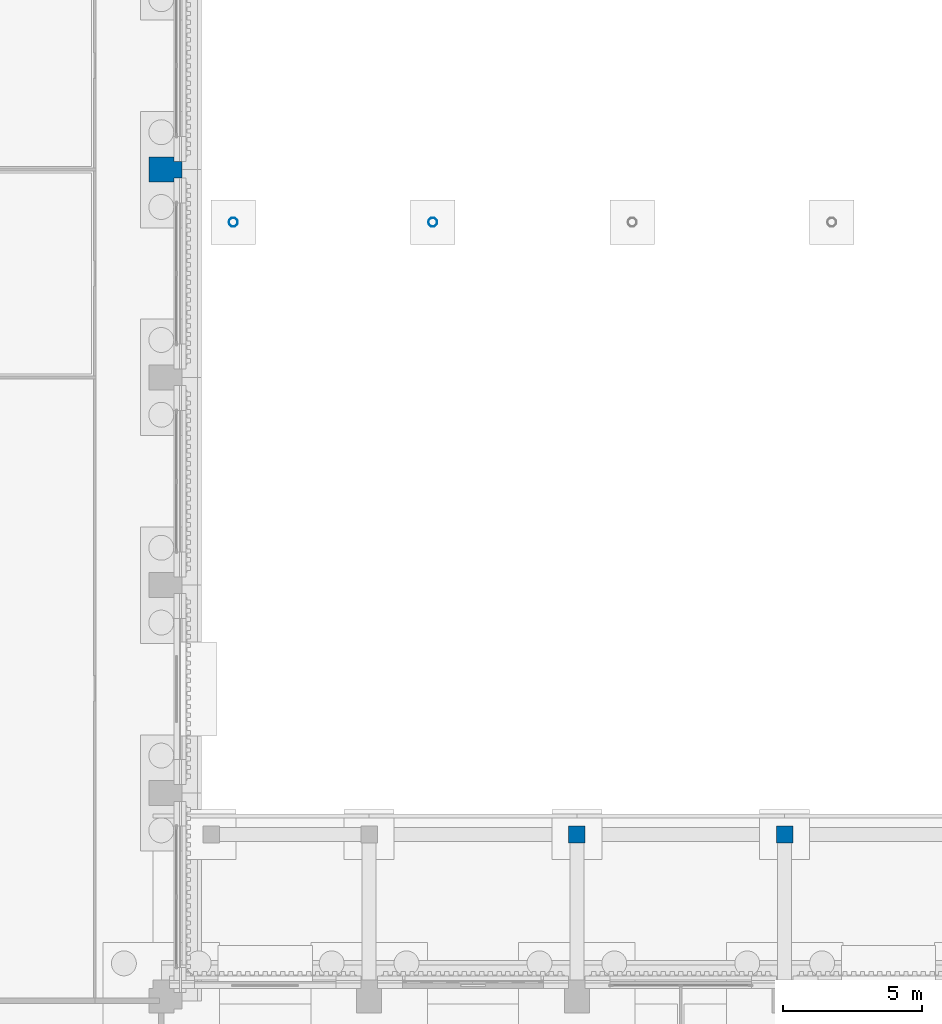
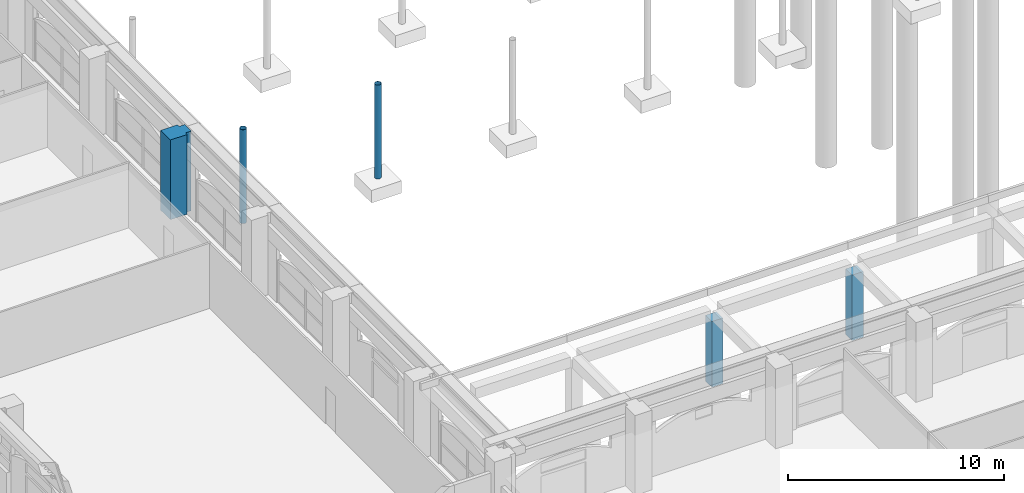
# One storey, part 7 of 99: 5 columns.
"""IFC4 building model written with IfcOpenShell, lengths in metres."""

from ifc_helpers import new_model, si_unit, direction, frame, origin, origin_2d, place, context, subcontext, project, spatial, polyline, rectangle, hollow_circle, outline, extrude, material, material_profile, profile_set, type_object, element, save


model = new_model("IFC4")

# Units and contexts
model_context = context("Model", 3, precision=1e-05, world=origin(), true_north=direction((0.0, 1.0)))
body_context = subcontext(model_context, "Body", "Model", "MODEL_VIEW")
ifc_project = project(units=[si_unit("LENGTHUNIT", "METRE"), si_unit("AREAUNIT", "SQUARE_METRE"), si_unit("VOLUMEUNIT", "CUBIC_METRE"), si_unit("PLANEANGLEUNIT", "RADIAN"), si_unit("MASSUNIT", "GRAM", prefix="KILO")], contexts=[model_context])

# Site, building, storey
site_placement = place(None, origin())
site = spatial("IfcSite", under=ifc_project, at=site_placement, CompositionType="ELEMENT")
building_placement = place(site_placement, origin())
building = spatial("IfcBuilding", under=site, at=building_placement, Name="Cour d'Honneur Mobility Palace", CompositionType="ELEMENT")
storey_placement = place(building_placement, origin())
storey = spatial("IfcBuildingStorey", under=building, at=storey_placement, Name="L00", CompositionType="ELEMENT", Elevation=0.0)

# Columns
ifc_material_1 = material(Name="Concrete C50", Category="concrete")
ifc_material_profile_1 = material_profile(ifc_material_1, rectangle(XDim=0.60009765625, YDim=0.60009765625, at=origin_2d()), Name="Arcade column 600x600")
ifc_profile_set_1 = profile_set([ifc_material_profile_1], Name="Concrete C50")
column_type_1 = type_object("IfcColumnType", Name="Arcade column 600x600", PredefinedType="COLUMN", material=ifc_profile_set_1)
for number, where, z_axis, x_axis, name in (
    (1, (32.39990234375, 68.39990234375, -0.300048828125), (0.0, 0.0, 1.0), (1.0, 0.0, 0.0), "Arcade column AC-W3"),
    (2, (39.89990234375, 68.39990234375, -0.300048828125), (0.0, 0.0, 1.0), (1.0, 0.0, 0.0), "Arcade column AC-W4"),
):
    element("IfcColumn", number, at=place(storey_placement, frame(where, z_axis=z_axis, x_axis=x_axis)), inside=storey, type_object=column_type_1, Name=name, PredefinedType="COLUMN", context=body_context, shape_type="SweptSolid", body=[
        extrude(rectangle(XDim=0.60009765625, YDim=0.60009765625, at=origin_2d()), origin(), (0.0, 0.0, 1.0), 3.699951171875),
    ])
ifc_material_2 = material(Name="Steel S355", Category="steel")
ifc_material_profile_2 = material_profile(ifc_material_2, hollow_circle(Radius=0.161865234375, WallThickness=0.010009765625, at=origin_2d()), Name="CHS 323.9x10")
ifc_profile_set_2 = profile_set([ifc_material_profile_2], Name="Steel S355")
column_type_2 = type_object("IfcColumnType", Name="Canopy column CHS 323.9x10", PredefinedType="COLUMN", material=ifc_profile_set_2)
for number, where, z_axis, x_axis, name in (
    (3, (20.0, 90.5, -0.300048828125), (0.0, 0.0, 1.0), (1.0, 0.0, 0.0), "Canopy column FCC-W1.1"),
    (4, (27.199951171875, 90.5, -0.300048828125), (0.0, 0.0, 1.0), (1.0, 0.0, 0.0), "Canopy column FCC-W1.2"),
):
    element("IfcColumn", number, at=place(storey_placement, frame(where, z_axis=z_axis, x_axis=x_axis)), inside=storey, type_object=column_type_2, Name=name, PredefinedType="COLUMN", context=body_context, shape_type="SweptSolid", body=[
        extrude(hollow_circle(Radius=0.161865234375, WallThickness=0.010009765625, at=origin_2d()), origin(), (0.0, 0.0, 1.0), 5.300048828125),
    ])
ifc_material_3 = material(Name="Concrete C50", Category="concrete")
ifc_material_profile_3 = material_profile(ifc_material_3, outline(polyline([(-0.449951171875, -0.449951171875), (0.449951171875, -0.449951171875), (0.449951171875, -0.300048828125), (0.75, -0.300048828125), (0.75, 0.300048828125), (0.449951171875, 0.300048828125), (0.449951171875, 0.449951171875), (-0.449951171875, 0.449951171875), (-0.449951171875, -0.449951171875)])), Name="PC C900 pilaster")
ifc_profile_set_3 = profile_set([ifc_material_profile_3], Name="Concrete C50")
column_type_3 = type_object("IfcColumnType", Name="Precast Column 900 pilaster", PredefinedType="COLUMN", material=ifc_profile_set_3)
column_placement = place(storey_placement, frame((17.39990234375, 92.39990234375, 0.0), z_axis=(0.0, 0.0, 1.0), x_axis=(1.0, 0.0, 0.0)))
element("IfcColumn", 5, at=column_placement, inside=storey, type_object=column_type_3, Name="Precast column C3 2/M L00", PredefinedType="COLUMN", context=body_context, shape_type="SweptSolid", body=[
    extrude(outline(polyline([(-0.449951171875, -0.449951171875), (0.449951171875, -0.449951171875), (0.449951171875, -0.300048828125), (0.75, -0.300048828125), (0.75, 0.300048828125), (0.449951171875, 0.300048828125), (0.449951171875, 0.449951171875), (-0.449951171875, 0.449951171875), (-0.449951171875, -0.449951171875)])), origin(), (0.0, 0.0, 1.0), 4.5),
])

save(model, "model.ifc")
